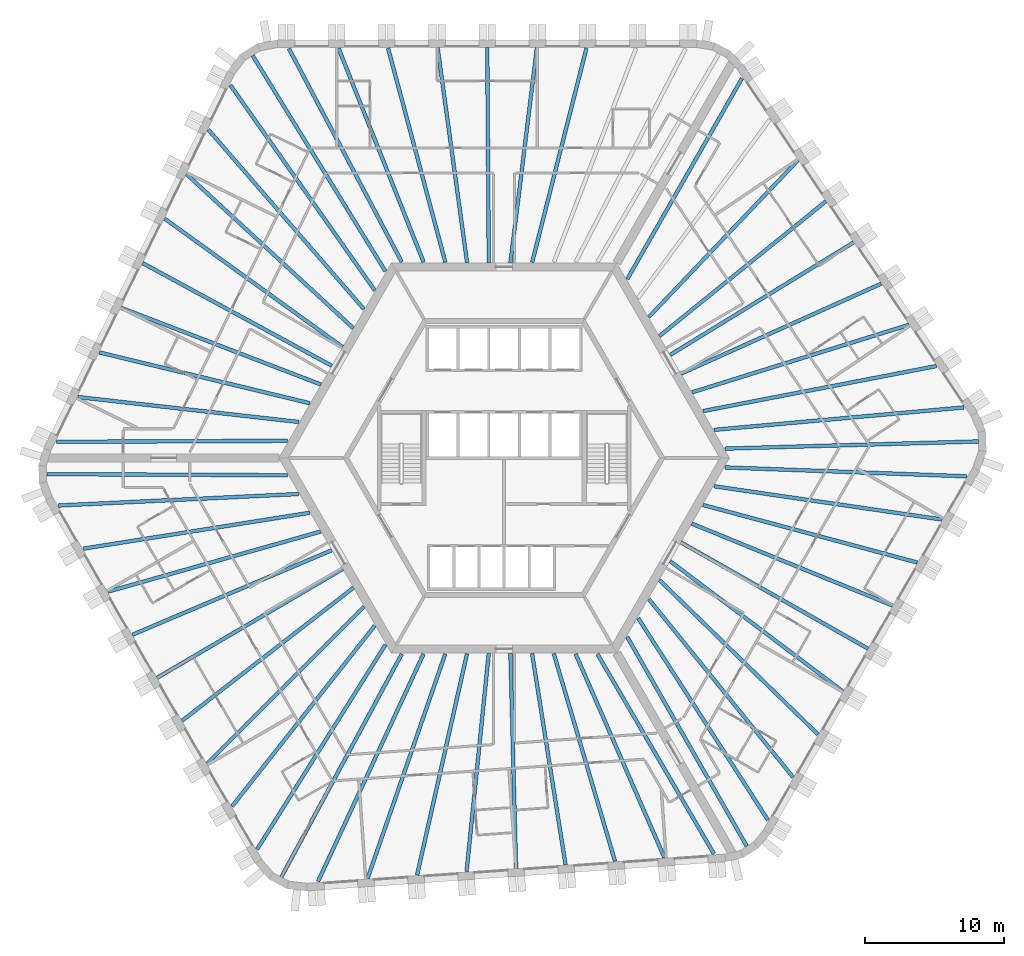
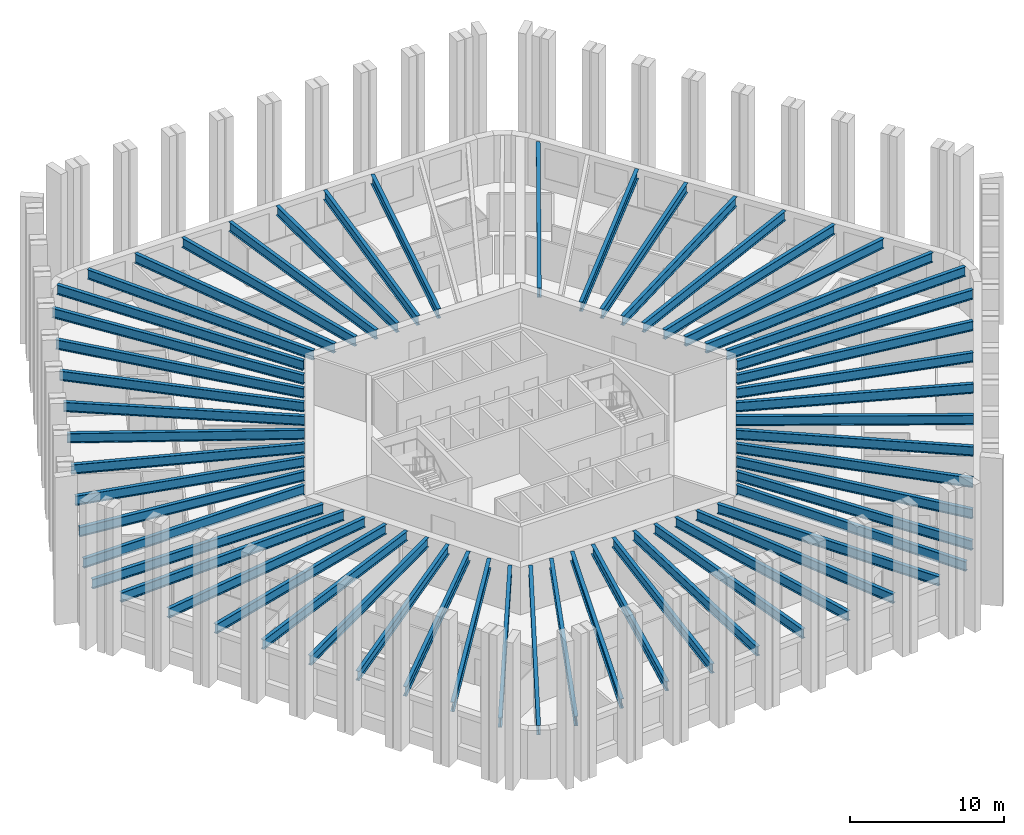
# One storey, part 1 of 12: 56 beams.
"""IFC4 building model written with IfcOpenShell, lengths in metres."""

from ifc_helpers import new_model, si_unit, direction, frame, origin, origin_2d, place, context, subcontext, project, spatial, i_section, extrude, material, material_profile, profile_set, type_object, element, save


model = new_model("IFC4")

# Units and contexts
model_context = context("Model", 3, precision=1e-05, world=origin(), true_north=direction((0.0, 1.0)))
body_context = subcontext(model_context, "Body", "Model", "MODEL_VIEW")
ifc_project = project(units=[si_unit("LENGTHUNIT", "METRE"), si_unit("AREAUNIT", "SQUARE_METRE"), si_unit("VOLUMEUNIT", "CUBIC_METRE"), si_unit("PLANEANGLEUNIT", "RADIAN"), si_unit("MASSUNIT", "GRAM", prefix="KILO")], contexts=[model_context])

# Site, building, storey
site_placement = place(None, origin())
site = spatial("IfcSite", under=ifc_project, at=site_placement, CompositionType="ELEMENT")
building_placement = place(site_placement, origin())
building = spatial("IfcBuilding", under=site, at=building_placement, Name="Tarnside Tower", CompositionType="ELEMENT")
storey_placement = place(building_placement, frame((0.0, 0.0, 99.89990234375)))
storey = spatial("IfcBuildingStorey", under=building, at=storey_placement, Name="L22", CompositionType="ELEMENT", Elevation=99.89990234375)

# Beams
ifc_material = material(Name="Steel S355", Category="steel")
ifc_material_profile_1 = material_profile(ifc_material, i_section(OverallWidth=0.26513671875, OverallDepth=0.75390625, WebThickness=0.0126953125, FlangeThickness=0.017578125, FilletRadius=0.0166015625, at=origin_2d()), Name="UB 762x267x147")
ifc_profile_set_1 = profile_set([ifc_material_profile_1], Name="Steel S355")
beam_type_1 = type_object("IfcBeamType", Name="Floor beam UB 762x267x147", PredefinedType="BEAM", material=ifc_profile_set_1)
beam_1_placement = place(storey_placement, frame((2.3525390625, 29.43017578125, 3.373046875), z_axis=(-0.122329629165, -0.992489527314, 0.0), x_axis=(0.992489527314, -0.122329629165, 0.0)))
element("IfcBeam", 1, at=beam_1_placement, inside=storey, type_object=beam_type_1, Name="Floor beam F1.04", PredefinedType="BEAM", context=body_context, shape_type="SweptSolid", body=[
    extrude(i_section(OverallWidth=0.26513671875, OverallDepth=0.75390625, WebThickness=0.0126953125, FlangeThickness=0.017578125, FilletRadius=0.0166015625, at=origin_2d()), origin(), (0.0, 0.0, 1.0), 15.527099609375),
])
beam_2_placement = place(storey_placement, frame((-1.208984375, 29.449951171875, 3.373046875), z_axis=(0.007000128723, -0.999975498799, 0.0), x_axis=(0.999975498799, 0.007000128723, 0.0)))
element("IfcBeam", 2, at=beam_2_placement, inside=storey, type_object=beam_type_1, Name="Floor beam F1.05", PredefinedType="BEAM", context=body_context, shape_type="SweptSolid", body=[
    extrude(i_section(OverallWidth=0.26513671875, OverallDepth=0.75390625, WebThickness=0.0126953125, FlangeThickness=0.017578125, FilletRadius=0.0166015625, at=origin_2d()), origin(), (0.0, 0.0, 1.0), 15.450439453125),
])
beam_3_placement = place(storey_placement, frame((-4.7705078125, 29.43017578125, 3.373046875), z_axis=(0.136000560933, -0.990708760144, 0.0), x_axis=(0.990708760144, 0.136000560933, 0.0)))
element("IfcBeam", 3, at=beam_3_placement, inside=storey, type_object=beam_type_1, Name="Floor beam F1.06", PredefinedType="BEAM", context=body_context, shape_type="SweptSolid", body=[
    extrude(i_section(OverallWidth=0.26513671875, OverallDepth=0.75390625, WebThickness=0.0126953125, FlangeThickness=0.017578125, FilletRadius=0.0166015625, at=origin_2d()), origin(), (0.0, 0.0, 1.0), 15.554931640625),
])
beam_4_placement = place(storey_placement, frame((-24.348876953125, 17.168212890625, 3.373046875), z_axis=(0.811027744825, -0.585007689799, 0.0), x_axis=(0.585007689799, 0.811027744825, 0.0)))
element("IfcBeam", 4, at=beam_4_placement, inside=storey, type_object=beam_type_1, Name="Floor beam F2.04", PredefinedType="BEAM", context=body_context, shape_type="SweptSolid", body=[
    extrude(i_section(OverallWidth=0.26513671875, OverallDepth=0.75390625, WebThickness=0.0126953125, FlangeThickness=0.017578125, FilletRadius=0.0166015625, at=origin_2d()), origin(), (0.0, 0.0, 1.0), 15.731689453125),
])
beam_5_placement = place(storey_placement, frame((-25.92626953125, 13.978271484375, 3.373046875), z_axis=(0.878894567679, -0.477016078245, 0.0), x_axis=(0.477016078245, 0.878894567679, 0.0)))
element("IfcBeam", 5, at=beam_5_placement, inside=storey, type_object=beam_type_1, Name="Floor beam F2.05", PredefinedType="BEAM", context=body_context, shape_type="SweptSolid", body=[
    extrude(i_section(OverallWidth=0.26513671875, OverallDepth=0.75390625, WebThickness=0.0126953125, FlangeThickness=0.017578125, FilletRadius=0.0166015625, at=origin_2d()), origin(), (0.0, 0.0, 1.0), 15.427490234375),
])
beam_6_placement = place(storey_placement, frame((-27.487548828125, 10.77734375, 3.373046875), z_axis=(0.933617702452, -0.358270827264, 0.0), x_axis=(0.358270827264, 0.933617702452, 0.0)))
element("IfcBeam", 6, at=beam_6_placement, inside=storey, type_object=beam_type_1, Name="Floor beam F2.06", PredefinedType="BEAM", context=body_context, shape_type="SweptSolid", body=[
    extrude(i_section(OverallWidth=0.26513671875, OverallDepth=0.75390625, WebThickness=0.0126953125, FlangeThickness=0.017578125, FilletRadius=0.0166015625, at=origin_2d()), origin(), (0.0, 0.0, 1.0), 15.363037109375),
])
beam_7_placement = place(storey_placement, frame((-29.029296875, 7.572509765625, 3.373046875), z_axis=(0.972101750991, -0.234559556873, 0.0), x_axis=(0.234559556873, 0.972101750991, 0.0)))
element("IfcBeam", 7, at=beam_7_placement, inside=storey, type_object=beam_type_1, Name="Floor beam F2.07", PredefinedType="BEAM", context=body_context, shape_type="SweptSolid", body=[
    extrude(i_section(OverallWidth=0.26513671875, OverallDepth=0.75390625, WebThickness=0.0126953125, FlangeThickness=0.017578125, FilletRadius=0.0166015625, at=origin_2d()), origin(), (0.0, 0.0, 1.0), 15.522216796875),
])
beam_8_placement = place(storey_placement, frame((-26.66357421875, -12.677734375, 3.373046875), z_axis=(0.920684021494, 0.390308765679, 0.0), x_axis=(-0.390308765679, 0.920684021494, 0.0)))
element("IfcBeam", 8, at=beam_8_placement, inside=storey, type_object=beam_type_1, Name="Floor beam F3.04", PredefinedType="BEAM", context=body_context, shape_type="SweptSolid", body=[
    extrude(i_section(OverallWidth=0.26513671875, OverallDepth=0.75390625, WebThickness=0.0126953125, FlangeThickness=0.017578125, FilletRadius=0.0166015625, at=origin_2d()), origin(), (0.0, 0.0, 1.0), 15.52685546875),
])
beam_9_placement = place(storey_placement, frame((-24.89990234375, -15.772216796875, 3.373046875), z_axis=(0.862497502004, 0.506061319443, 0.0), x_axis=(-0.506061319443, 0.862497502004, 0.0)))
element("IfcBeam", 9, at=beam_9_placement, inside=storey, type_object=beam_type_1, Name="Floor beam F3.05", PredefinedType="BEAM", context=body_context, shape_type="SweptSolid", body=[
    extrude(i_section(OverallWidth=0.26513671875, OverallDepth=0.75390625, WebThickness=0.0126953125, FlangeThickness=0.017578125, FilletRadius=0.0166015625, at=origin_2d()), origin(), (0.0, 0.0, 1.0), 15.450439453125),
])
beam_10_placement = place(storey_placement, frame((-23.10205078125, -18.846435546875, 3.373046875), z_axis=(0.789983963813, 0.613127504617, 0.0), x_axis=(-0.613127504617, 0.789983963813, 0.0)))
element("IfcBeam", 10, at=beam_10_placement, inside=storey, type_object=beam_type_1, Name="Floor beam F3.06", PredefinedType="BEAM", context=body_context, shape_type="SweptSolid", body=[
    extrude(i_section(OverallWidth=0.26513671875, OverallDepth=0.75390625, WebThickness=0.0126953125, FlangeThickness=0.017578125, FilletRadius=0.0166015625, at=origin_2d()), origin(), (0.0, 0.0, 1.0), 15.554931640625),
])
beam_11_placement = place(storey_placement, frame((-2.693603515625, -29.6708984375, 3.373046875), z_axis=(0.101123115756, 0.994873919379, 0.0), x_axis=(-0.994873919379, 0.101123115756, 0.0)))
element("IfcBeam", 11, at=beam_11_placement, inside=storey, type_object=beam_type_1, Name="Floor beam F4.04", PredefinedType="BEAM", context=body_context, shape_type="SweptSolid", body=[
    extrude(i_section(OverallWidth=0.26513671875, OverallDepth=0.75390625, WebThickness=0.0126953125, FlangeThickness=0.017578125, FilletRadius=0.0166015625, at=origin_2d()), origin(), (0.0, 0.0, 1.0), 15.7314453125),
])
beam_12_placement = place(storey_placement, frame((0.857666015625, -29.44189453125, 3.373046875), z_axis=(-0.026333316788, 0.999653218085, 0.0), x_axis=(-0.999653218085, -0.026333316788, 0.0)))
element("IfcBeam", 12, at=beam_12_placement, inside=storey, type_object=beam_type_1, Name="Floor beam F4.05", PredefinedType="BEAM", context=body_context, shape_type="SweptSolid", body=[
    extrude(i_section(OverallWidth=0.26513671875, OverallDepth=0.75390625, WebThickness=0.0126953125, FlangeThickness=0.017578125, FilletRadius=0.0166015625, at=origin_2d()), origin(), (0.0, 0.0, 1.0), 15.42724609375),
])
beam_13_placement = place(storey_placement, frame((4.41015625, -29.193603515625, 3.373046875), z_axis=(-0.156513375907, 0.98767583911, 0.0), x_axis=(-0.98767583911, -0.156513375907, 0.0)))
element("IfcBeam", 13, at=beam_13_placement, inside=storey, type_object=beam_type_1, Name="Floor beam F4.06", PredefinedType="BEAM", context=body_context, shape_type="SweptSolid", body=[
    extrude(i_section(OverallWidth=0.26513671875, OverallDepth=0.75390625, WebThickness=0.0126953125, FlangeThickness=0.017578125, FilletRadius=0.0166015625, at=origin_2d()), origin(), (0.0, 0.0, 1.0), 15.36328125),
])
beam_14_placement = place(storey_placement, frame((7.956787109375, -28.926513671875, 3.373046875), z_axis=(-0.282920694328, 0.959143305623, 0.0), x_axis=(-0.959143305623, -0.282920694328, 0.0)))
element("IfcBeam", 14, at=beam_14_placement, inside=storey, type_object=beam_type_1, Name="Floor beam F4.07", PredefinedType="BEAM", context=body_context, shape_type="SweptSolid", body=[
    extrude(i_section(OverallWidth=0.26513671875, OverallDepth=0.75390625, WebThickness=0.0126953125, FlangeThickness=0.017578125, FilletRadius=0.0166015625, at=origin_2d()), origin(), (0.0, 0.0, 1.0), 15.5224609375),
])
beam_15_placement = place(storey_placement, frame((24.31103515625, -16.75244140625, 3.373046875), z_axis=(-0.798361152727, 0.602178935049, 0.0), x_axis=(-0.602178935049, -0.798361152727, 0.0)))
element("IfcBeam", 15, at=beam_15_placement, inside=storey, type_object=beam_type_1, Name="Floor beam F5.04", PredefinedType="BEAM", context=body_context, shape_type="SweptSolid", body=[
    extrude(i_section(OverallWidth=0.26513671875, OverallDepth=0.75390625, WebThickness=0.0126953125, FlangeThickness=0.017578125, FilletRadius=0.0166015625, at=origin_2d()), origin(), (0.0, 0.0, 1.0), 15.527099609375),
])
beam_16_placement = place(storey_placement, frame((26.10888671875, -13.677978515625, 3.373046875), z_axis=(-0.869502520992, 0.493928502911, 0.0), x_axis=(-0.493928502911, -0.869502520992, 0.0)))
element("IfcBeam", 16, at=beam_16_placement, inside=storey, type_object=beam_type_1, Name="Floor beam F5.05", PredefinedType="BEAM", context=body_context, shape_type="SweptSolid", body=[
    extrude(i_section(OverallWidth=0.26513671875, OverallDepth=0.75390625, WebThickness=0.0126953125, FlangeThickness=0.017578125, FilletRadius=0.0166015625, at=origin_2d()), origin(), (0.0, 0.0, 1.0), 15.4501953125),
])
beam_17_placement = place(storey_placement, frame((27.87255859375, -10.58349609375, 3.373046875), z_axis=(-0.925981621163, 0.377568586177, 0.0), x_axis=(-0.377568586177, -0.925981621163, 0.0)))
element("IfcBeam", 17, at=beam_17_placement, inside=storey, type_object=beam_type_1, Name="Floor beam F5.06", PredefinedType="BEAM", context=body_context, shape_type="SweptSolid", body=[
    extrude(i_section(OverallWidth=0.26513671875, OverallDepth=0.75390625, WebThickness=0.0126953125, FlangeThickness=0.017578125, FilletRadius=0.0166015625, at=origin_2d()), origin(), (0.0, 0.0, 1.0), 15.554931640625),
])
beam_18_placement = place(storey_placement, frame((27.04248046875, 12.502685546875, 3.373046875), z_axis=(-0.912146413919, -0.409864513681, 0.0), x_axis=(0.409864513681, -0.912146413919, 0.0)))
element("IfcBeam", 18, at=beam_18_placement, inside=storey, type_object=beam_type_1, Name="Floor beam F6.04", PredefinedType="BEAM", context=body_context, shape_type="SweptSolid", body=[
    extrude(i_section(OverallWidth=0.26513671875, OverallDepth=0.75390625, WebThickness=0.0126953125, FlangeThickness=0.017578125, FilletRadius=0.0166015625, at=origin_2d()), origin(), (0.0, 0.0, 1.0), 15.7314453125),
])
beam_19_placement = place(storey_placement, frame((25.068603515625, 15.463623046875, 3.373046875), z_axis=(-0.852558490017, -0.522631821744, 0.0), x_axis=(0.522631821744, -0.852558490017, 0.0)))
element("IfcBeam", 19, at=beam_19_placement, inside=storey, type_object=beam_type_1, Name="Floor beam F6.05", PredefinedType="BEAM", context=body_context, shape_type="SweptSolid", body=[
    extrude(i_section(OverallWidth=0.26513671875, OverallDepth=0.75390625, WebThickness=0.0126953125, FlangeThickness=0.017578125, FilletRadius=0.0166015625, at=origin_2d()), origin(), (0.0, 0.0, 1.0), 15.42724609375),
])
beam_20_placement = place(storey_placement, frame((23.0771484375, 18.416259765625, 3.373046875), z_axis=(-0.777079423039, -0.629402550272, 0.0), x_axis=(0.629402550272, -0.777079423039, 0.0)))
element("IfcBeam", 20, at=beam_20_placement, inside=storey, type_object=beam_type_1, Name="Floor beam F6.06", PredefinedType="BEAM", context=body_context, shape_type="SweptSolid", body=[
    extrude(i_section(OverallWidth=0.26513671875, OverallDepth=0.75390625, WebThickness=0.0126953125, FlangeThickness=0.017578125, FilletRadius=0.0166015625, at=origin_2d()), origin(), (0.0, 0.0, 1.0), 15.36328125),
])
beam_21_placement = place(storey_placement, frame((21.072509765625, 21.35400390625, 3.373046875), z_axis=(-0.689174694318, -0.724595225427, 0.0), x_axis=(0.724595225427, -0.689174694318, 0.0)))
element("IfcBeam", 21, at=beam_21_placement, inside=storey, type_object=beam_type_1, Name="Floor beam F6.07", PredefinedType="BEAM", context=body_context, shape_type="SweptSolid", body=[
    extrude(i_section(OverallWidth=0.26513671875, OverallDepth=0.75390625, WebThickness=0.0126953125, FlangeThickness=0.017578125, FilletRadius=0.0166015625, at=origin_2d()), origin(), (0.0, 0.0, 1.0), 15.522216796875),
])
ifc_material_profile_2 = material_profile(ifc_material, i_section(OverallWidth=0.2666015625, OverallDepth=0.76220703125, WebThickness=0.014404296875, FlangeThickness=0.021484375, FilletRadius=0.0166015625, at=origin_2d()), Name="UB 762x267x173")
ifc_profile_set_2 = profile_set([ifc_material_profile_2], Name="Steel S355")
beam_type_2 = type_object("IfcBeamType", Name="Floor beam UB 762x267x173", PredefinedType="BEAM", material=ifc_profile_set_2)
beam_22_placement = place(storey_placement, frame((5.909423828125, 29.4111328125, 3.368896484375), z_axis=(-0.245747281389, -0.969333933013, 0.0), x_axis=(0.969333933013, -0.245747281389, 0.0)))
element("IfcBeam", 22, at=beam_22_placement, inside=storey, type_object=beam_type_2, Name="Floor beam F1.03", PredefinedType="BEAM", context=body_context, shape_type="SweptSolid", body=[
    extrude(i_section(OverallWidth=0.2666015625, OverallDepth=0.76220703125, WebThickness=0.014404296875, FlangeThickness=0.021484375, FilletRadius=0.0166015625, at=origin_2d()), origin(), (0.0, 0.0, 1.0), 15.858642578125),
])
beam_23_placement = place(storey_placement, frame((-8.3271484375, 29.411376953125, 3.368896484375), z_axis=(0.258447478572, -0.966025310652, 0.0), x_axis=(0.966025310652, 0.258447478572, 0.0)))
element("IfcBeam", 23, at=beam_23_placement, inside=storey, type_object=beam_type_2, Name="Floor beam F1.07", PredefinedType="BEAM", context=body_context, shape_type="SweptSolid", body=[
    extrude(i_section(OverallWidth=0.2666015625, OverallDepth=0.76220703125, WebThickness=0.014404296875, FlangeThickness=0.021484375, FilletRadius=0.0166015625, at=origin_2d()), origin(), (0.0, 0.0, 1.0), 15.91357421875),
])
beam_24_placement = place(storey_placement, frame((-11.87939453125, 29.394287109375, 3.368896484375), z_axis=(0.369638204477, -0.929175762593, 0.0), x_axis=(0.929175762593, 0.369638204477, 0.0)))
element("IfcBeam", 24, at=beam_24_placement, inside=storey, type_object=beam_type_2, Name="Floor beam F1.08", PredefinedType="BEAM", context=body_context, shape_type="SweptSolid", body=[
    extrude(i_section(OverallWidth=0.2666015625, OverallDepth=0.76220703125, WebThickness=0.014404296875, FlangeThickness=0.021484375, FilletRadius=0.0166015625, at=origin_2d()), origin(), (0.0, 0.0, 1.0), 16.507568359375),
])
beam_25_placement = place(storey_placement, frame((-15.44580078125, 29.37939453125, 3.368896484375), z_axis=(0.467741993634, -0.883865050441, 0.0), x_axis=(0.883865050441, 0.467741993634, 0.0)))
element("IfcBeam", 25, at=beam_25_placement, inside=storey, type_object=beam_type_2, Name="Floor beam F1.09", PredefinedType="BEAM", context=body_context, shape_type="SweptSolid", body=[
    extrude(i_section(OverallWidth=0.2666015625, OverallDepth=0.76220703125, WebThickness=0.014404296875, FlangeThickness=0.021484375, FilletRadius=0.0166015625, at=origin_2d()), origin(), (0.0, 0.0, 1.0), 17.320068359375),
])
beam_26_placement = place(storey_placement, frame((-18.042236328125, 28.8701171875, 3.368896484375), z_axis=(0.524382977035, -0.851482526771, 0.0), x_axis=(0.851482526771, 0.524382977035, 0.0)))
element("IfcBeam", 26, at=beam_26_placement, inside=storey, type_object=beam_type_2, Name="Floor beam C1", PredefinedType="BEAM", context=body_context, shape_type="SweptSolid", body=[
    extrude(i_section(OverallWidth=0.2666015625, OverallDepth=0.76220703125, WebThickness=0.014404296875, FlangeThickness=0.021484375, FilletRadius=0.0166015625, at=origin_2d()), origin(), (0.0, 0.0, 1.0), 18.1728515625),
])
beam_27_placement = place(storey_placement, frame((-19.638671875, 26.75537109375, 3.368896484375), z_axis=(0.575411427849, -0.817864101609, 0.0), x_axis=(0.817864101609, 0.575411427849, 0.0)))
element("IfcBeam", 27, at=beam_27_placement, inside=storey, type_object=beam_type_2, Name="Floor beam F2.01", PredefinedType="BEAM", context=body_context, shape_type="SweptSolid", body=[
    extrude(i_section(OverallWidth=0.2666015625, OverallDepth=0.76220703125, WebThickness=0.014404296875, FlangeThickness=0.021484375, FilletRadius=0.0166015625, at=origin_2d()), origin(), (0.0, 0.0, 1.0), 18.00048828125),
])
beam_28_placement = place(storey_placement, frame((-21.21630859375, 23.554931640625, 3.368896484375), z_axis=(0.654980748073, -0.755645564834, 0.0), x_axis=(0.755645564834, 0.654980748073, 0.0)))
element("IfcBeam", 28, at=beam_28_placement, inside=storey, type_object=beam_type_2, Name="Floor beam F2.02", PredefinedType="BEAM", context=body_context, shape_type="SweptSolid", body=[
    extrude(i_section(OverallWidth=0.2666015625, OverallDepth=0.76220703125, WebThickness=0.014404296875, FlangeThickness=0.021484375, FilletRadius=0.0166015625, at=origin_2d()), origin(), (0.0, 0.0, 1.0), 17.0302734375),
])
beam_29_placement = place(storey_placement, frame((-22.7890625, 20.368408203125, 3.368896484375), z_axis=(0.734715474517, -0.678375391288, 0.0), x_axis=(0.678375391288, 0.734715474517, 0.0)))
element("IfcBeam", 29, at=beam_29_placement, inside=storey, type_object=beam_type_2, Name="Floor beam F2.03", PredefinedType="BEAM", context=body_context, shape_type="SweptSolid", body=[
    extrude(i_section(OverallWidth=0.2666015625, OverallDepth=0.76220703125, WebThickness=0.014404296875, FlangeThickness=0.021484375, FilletRadius=0.0166015625, at=origin_2d()), origin(), (0.0, 0.0, 1.0), 16.2802734375),
])
beam_30_placement = place(storey_placement, frame((-30.570556640625, 4.372802734375, 3.368896484375), z_axis=(0.993687302776, -0.112185312326, 0.0), x_axis=(0.112185312326, 0.993687302776, 0.0)))
element("IfcBeam", 30, at=beam_30_placement, inside=storey, type_object=beam_type_2, Name="Floor beam F2.08", PredefinedType="BEAM", context=body_context, shape_type="SweptSolid", body=[
    extrude(i_section(OverallWidth=0.2666015625, OverallDepth=0.76220703125, WebThickness=0.014404296875, FlangeThickness=0.021484375, FilletRadius=0.0166015625, at=origin_2d()), origin(), (0.0, 0.0, 1.0), 15.934326171875),
])
beam_31_placement = place(storey_placement, frame((-32.119384765625, 1.162109375, 3.368896484375), z_axis=(0.999990508787, 0.004356872304, 0.0), x_axis=(-0.004356872304, 0.999990508787, 0.0)))
element("IfcBeam", 31, at=beam_31_placement, inside=storey, type_object=beam_type_2, Name="Floor beam F2.09", PredefinedType="BEAM", context=body_context, shape_type="SweptSolid", body=[
    extrude(i_section(OverallWidth=0.2666015625, OverallDepth=0.76220703125, WebThickness=0.014404296875, FlangeThickness=0.021484375, FilletRadius=0.0166015625, at=origin_2d()), origin(), (0.0, 0.0, 1.0), 16.586669921875),
])
beam_32_placement = place(storey_placement, frame((-32.80712890625, -1.1572265625, 3.368896484375), z_axis=(0.999990027056, -0.004466070929, 0.0), x_axis=(0.004466070929, 0.999990027056, 0.0)))
element("IfcBeam", 32, at=beam_32_placement, inside=storey, type_object=beam_type_2, Name="Floor beam C2", PredefinedType="BEAM", context=body_context, shape_type="SweptSolid", body=[
    extrude(i_section(OverallWidth=0.2666015625, OverallDepth=0.76220703125, WebThickness=0.014404296875, FlangeThickness=0.021484375, FilletRadius=0.0166015625, at=origin_2d()), origin(), (0.0, 0.0, 1.0), 17.2744140625),
])
beam_33_placement = place(storey_placement, frame((-31.95703125, -3.406494140625, 3.368896484375), z_axis=(0.998853818522, 0.047864905982, 0.0), x_axis=(-0.047864905982, 0.998853818522, 0.0)))
element("IfcBeam", 33, at=beam_33_placement, inside=storey, type_object=beam_type_2, Name="Floor beam F3.01", PredefinedType="BEAM", context=body_context, shape_type="SweptSolid", body=[
    extrude(i_section(OverallWidth=0.2666015625, OverallDepth=0.76220703125, WebThickness=0.014404296875, FlangeThickness=0.021484375, FilletRadius=0.0166015625, at=origin_2d()), origin(), (0.0, 0.0, 1.0), 17.2197265625),
])
beam_34_placement = place(storey_placement, frame((-30.18701171875, -6.502685546875, 3.368896484375), z_axis=(0.987678477078, 0.156496728136, 0.0), x_axis=(-0.156496728136, 0.987678477078, 0.0)))
element("IfcBeam", 34, at=beam_34_placement, inside=storey, type_object=beam_type_2, Name="Floor beam F3.02", PredefinedType="BEAM", context=body_context, shape_type="SweptSolid", body=[
    extrude(i_section(OverallWidth=0.2666015625, OverallDepth=0.76220703125, WebThickness=0.014404296875, FlangeThickness=0.021484375, FilletRadius=0.0166015625, at=origin_2d()), origin(), (0.0, 0.0, 1.0), 16.4287109375),
])
beam_35_placement = place(storey_placement, frame((-28.425537109375, -9.587890625, 3.368896484375), z_axis=(0.962342240503, 0.271840784547, 0.0), x_axis=(-0.271840784547, 0.962342240503, 0.0)))
element("IfcBeam", 35, at=beam_35_placement, inside=storey, type_object=beam_type_2, Name="Floor beam F3.03", PredefinedType="BEAM", context=body_context, shape_type="SweptSolid", body=[
    extrude(i_section(OverallWidth=0.2666015625, OverallDepth=0.76220703125, WebThickness=0.014404296875, FlangeThickness=0.021484375, FilletRadius=0.0166015625, at=origin_2d()), origin(), (0.0, 0.0, 1.0), 15.858642578125),
])
beam_36_placement = place(storey_placement, frame((-21.307373046875, -21.917236328125, 3.368896484375), z_axis=(0.707367544857, 0.706845921318, 0.0), x_axis=(-0.706845921318, 0.707367544857, 0.0)))
element("IfcBeam", 36, at=beam_36_placement, inside=storey, type_object=beam_type_2, Name="Floor beam F3.07", PredefinedType="BEAM", context=body_context, shape_type="SweptSolid", body=[
    extrude(i_section(OverallWidth=0.2666015625, OverallDepth=0.76220703125, WebThickness=0.014404296875, FlangeThickness=0.021484375, FilletRadius=0.0166015625, at=origin_2d()), origin(), (0.0, 0.0, 1.0), 15.913330078125),
])
beam_37_placement = place(storey_placement, frame((-19.516357421875, -24.985107421875, 3.368896484375), z_axis=(0.619872995007, 0.784702153725, 0.0), x_axis=(-0.784702153725, 0.619872995007, 0.0)))
element("IfcBeam", 37, at=beam_37_placement, inside=storey, type_object=beam_type_2, Name="Floor beam F3.08", PredefinedType="BEAM", context=body_context, shape_type="SweptSolid", body=[
    extrude(i_section(OverallWidth=0.2666015625, OverallDepth=0.76220703125, WebThickness=0.014404296875, FlangeThickness=0.021484375, FilletRadius=0.0166015625, at=origin_2d()), origin(), (0.0, 0.0, 1.0), 16.507568359375),
])
beam_38_placement = place(storey_placement, frame((-17.72021484375, -28.066162109375, 3.368896484375), z_axis=(0.531583085704, 0.847006152866, 0.0), x_axis=(-0.847006152866, 0.531583085704, 0.0)))
element("IfcBeam", 38, at=beam_38_placement, inside=storey, type_object=beam_type_2, Name="Floor beam F3.09", PredefinedType="BEAM", context=body_context, shape_type="SweptSolid", body=[
    extrude(i_section(OverallWidth=0.2666015625, OverallDepth=0.76220703125, WebThickness=0.014404296875, FlangeThickness=0.021484375, FilletRadius=0.0166015625, at=origin_2d()), origin(), (0.0, 0.0, 1.0), 17.320068359375),
])
beam_39_placement = place(storey_placement, frame((-15.981201171875, -30.060302734375, 3.368896484375), z_axis=(0.475208200571, 0.879873380726, 0.0), x_axis=(-0.879873380726, 0.475208200571, 0.0)))
element("IfcBeam", 39, at=beam_39_placement, inside=storey, type_object=beam_type_2, Name="Floor beam C3", PredefinedType="BEAM", context=body_context, shape_type="SweptSolid", body=[
    extrude(i_section(OverallWidth=0.2666015625, OverallDepth=0.76220703125, WebThickness=0.014404296875, FlangeThickness=0.021484375, FilletRadius=0.0166015625, at=origin_2d()), origin(), (0.0, 0.0, 1.0), 18.173095703125),
])
beam_40_placement = place(storey_placement, frame((-13.3515625, -30.38525390625, 3.368896484375), z_axis=(0.42059199668, 0.907249895193, 0.0), x_axis=(-0.907249895193, 0.42059199668, 0.0)))
element("IfcBeam", 40, at=beam_40_placement, inside=storey, type_object=beam_type_2, Name="Floor beam F4.01", PredefinedType="BEAM", context=body_context, shape_type="SweptSolid", body=[
    extrude(i_section(OverallWidth=0.2666015625, OverallDepth=0.76220703125, WebThickness=0.014404296875, FlangeThickness=0.021484375, FilletRadius=0.0166015625, at=origin_2d()), origin(), (0.0, 0.0, 1.0), 18.000244140625),
])
beam_41_placement = place(storey_placement, frame((-9.791015625, -30.151123046875, 3.368896484375), z_axis=(0.326912128872, 0.945054739153, 0.0), x_axis=(-0.945054739153, 0.326912128872, 0.0)))
element("IfcBeam", 41, at=beam_41_placement, inside=storey, type_object=beam_type_2, Name="Floor beam F4.02", PredefinedType="BEAM", context=body_context, shape_type="SweptSolid", body=[
    extrude(i_section(OverallWidth=0.2666015625, OverallDepth=0.76220703125, WebThickness=0.014404296875, FlangeThickness=0.021484375, FilletRadius=0.0166015625, at=origin_2d()), origin(), (0.0, 0.0, 1.0), 17.0302734375),
])
beam_42_placement = place(storey_placement, frame((-6.2451171875, -29.920166015625, 3.368896484375), z_axis=(0.220139818673, 0.975468328668, 0.0), x_axis=(-0.975468328668, 0.220139818673, 0.0)))
element("IfcBeam", 42, at=beam_42_placement, inside=storey, type_object=beam_type_2, Name="Floor beam F4.03", PredefinedType="BEAM", context=body_context, shape_type="SweptSolid", body=[
    extrude(i_section(OverallWidth=0.2666015625, OverallDepth=0.76220703125, WebThickness=0.014404296875, FlangeThickness=0.021484375, FilletRadius=0.0166015625, at=origin_2d()), origin(), (0.0, 0.0, 1.0), 16.280517578125),
])
beam_43_placement = place(storey_placement, frame((11.498291015625, -28.6611328125, 3.368896484375), z_axis=(-0.399695682658, 0.916647893831, 0.0), x_axis=(-0.916647893831, -0.399695682658, 0.0)))
element("IfcBeam", 43, at=beam_43_placement, inside=storey, type_object=beam_type_2, Name="Floor beam F4.08", PredefinedType="BEAM", context=body_context, shape_type="SweptSolid", body=[
    extrude(i_section(OverallWidth=0.2666015625, OverallDepth=0.76220703125, WebThickness=0.014404296875, FlangeThickness=0.021484375, FilletRadius=0.0166015625, at=origin_2d()), origin(), (0.0, 0.0, 1.0), 15.934326171875),
])
beam_44_placement = place(storey_placement, frame((15.05322265625, -28.3974609375, 3.368896484375), z_axis=(-0.503758455062, 0.86384455717, 0.0), x_axis=(-0.86384455717, -0.503758455062, 0.0)))
element("IfcBeam", 44, at=beam_44_placement, inside=storey, type_object=beam_type_2, Name="Floor beam F4.09", PredefinedType="BEAM", context=body_context, shape_type="SweptSolid", body=[
    extrude(i_section(OverallWidth=0.2666015625, OverallDepth=0.76220703125, WebThickness=0.014404296875, FlangeThickness=0.021484375, FilletRadius=0.0166015625, at=origin_2d()), origin(), (0.0, 0.0, 1.0), 16.586669921875),
])
beam_45_placement = place(storey_placement, frame((17.40576171875, -27.833251953125, 3.368896484375), z_axis=(-0.496126762138, 0.868250099851, 0.0), x_axis=(-0.868250099851, -0.496126762138, 0.0)))
element("IfcBeam", 45, at=beam_45_placement, inside=storey, type_object=beam_type_2, Name="Floor beam C4", PredefinedType="BEAM", context=body_context, shape_type="SweptSolid", body=[
    extrude(i_section(OverallWidth=0.2666015625, OverallDepth=0.76220703125, WebThickness=0.014404296875, FlangeThickness=0.021484375, FilletRadius=0.0166015625, at=origin_2d()), origin(), (0.0, 0.0, 1.0), 17.2744140625),
])
beam_46_placement = place(storey_placement, frame((18.9287109375, -25.972412109375, 3.368896484375), z_axis=(-0.540872954463, 0.841104302171, 0.0), x_axis=(-0.841104302171, -0.540872954463, 0.0)))
element("IfcBeam", 46, at=beam_46_placement, inside=storey, type_object=beam_type_2, Name="Floor beam F5.01", PredefinedType="BEAM", context=body_context, shape_type="SweptSolid", body=[
    extrude(i_section(OverallWidth=0.2666015625, OverallDepth=0.76220703125, WebThickness=0.014404296875, FlangeThickness=0.021484375, FilletRadius=0.0166015625, at=origin_2d()), origin(), (0.0, 0.0, 1.0), 17.2197265625),
])
beam_47_placement = place(storey_placement, frame((20.72509765625, -22.89111328125, 3.368896484375), z_axis=(-0.62939015525, 0.777089462336, 0.0), x_axis=(-0.777089462336, -0.62939015525, 0.0)))
element("IfcBeam", 47, at=beam_47_placement, inside=storey, type_object=beam_type_2, Name="Floor beam F5.02", PredefinedType="BEAM", context=body_context, shape_type="SweptSolid", body=[
    extrude(i_section(OverallWidth=0.2666015625, OverallDepth=0.76220703125, WebThickness=0.014404296875, FlangeThickness=0.021484375, FilletRadius=0.0166015625, at=origin_2d()), origin(), (0.0, 0.0, 1.0), 16.4287109375),
])
beam_48_placement = place(storey_placement, frame((22.51611328125, -19.8232421875, 3.368896484375), z_axis=(-0.716594696052, 0.697489814686, 0.0), x_axis=(-0.697489814686, -0.716594696052, 0.0)))
element("IfcBeam", 48, at=beam_48_placement, inside=storey, type_object=beam_type_2, Name="Floor beam F5.03", PredefinedType="BEAM", context=body_context, shape_type="SweptSolid", body=[
    extrude(i_section(OverallWidth=0.2666015625, OverallDepth=0.76220703125, WebThickness=0.014404296875, FlangeThickness=0.021484375, FilletRadius=0.0166015625, at=origin_2d()), origin(), (0.0, 0.0, 1.0), 15.858642578125),
])
beam_49_placement = place(storey_placement, frame((29.634521484375, -7.494140625, 3.368896484375), z_axis=(-0.965827851395, 0.259184415946, 0.0), x_axis=(-0.259184415946, -0.965827851395, 0.0)))
element("IfcBeam", 49, at=beam_49_placement, inside=storey, type_object=beam_type_2, Name="Floor beam F5.07", PredefinedType="BEAM", context=body_context, shape_type="SweptSolid", body=[
    extrude(i_section(OverallWidth=0.2666015625, OverallDepth=0.76220703125, WebThickness=0.014404296875, FlangeThickness=0.021484375, FilletRadius=0.0166015625, at=origin_2d()), origin(), (0.0, 0.0, 1.0), 15.913330078125),
])
beam_50_placement = place(storey_placement, frame((31.39599609375, -4.4091796875, 3.368896484375), z_axis=(-0.989507887412, 0.144478859177, 0.0), x_axis=(-0.144478859177, -0.989507887412, 0.0)))
element("IfcBeam", 50, at=beam_50_placement, inside=storey, type_object=beam_type_2, Name="Floor beam F5.08", PredefinedType="BEAM", context=body_context, shape_type="SweptSolid", body=[
    extrude(i_section(OverallWidth=0.2666015625, OverallDepth=0.76220703125, WebThickness=0.014404296875, FlangeThickness=0.021484375, FilletRadius=0.0166015625, at=origin_2d()), origin(), (0.0, 0.0, 1.0), 16.507568359375),
])
beam_51_placement = place(storey_placement, frame((33.166259765625, -1.31298828125, 3.368896484375), z_axis=(-0.999320941149, 0.036846391708, 0.0), x_axis=(-0.036846391708, -0.999320941149, 0.0)))
element("IfcBeam", 51, at=beam_51_placement, inside=storey, type_object=beam_type_2, Name="Floor beam F5.09", PredefinedType="BEAM", context=body_context, shape_type="SweptSolid", body=[
    extrude(i_section(OverallWidth=0.2666015625, OverallDepth=0.76220703125, WebThickness=0.014404296875, FlangeThickness=0.021484375, FilletRadius=0.0166015625, at=origin_2d()), origin(), (0.0, 0.0, 1.0), 17.320068359375),
])
beam_52_placement = place(storey_placement, frame((34.0234375, 1.18994140625, 3.368896484375), z_axis=(-0.999597013499, -0.028386803343, 0.0), x_axis=(0.028386803343, -0.999597013499, 0.0)))
element("IfcBeam", 52, at=beam_52_placement, inside=storey, type_object=beam_type_2, Name="Floor beam C5", PredefinedType="BEAM", context=body_context, shape_type="SweptSolid", body=[
    extrude(i_section(OverallWidth=0.2666015625, OverallDepth=0.76220703125, WebThickness=0.014404296875, FlangeThickness=0.021484375, FilletRadius=0.0166015625, at=origin_2d()), origin(), (0.0, 0.0, 1.0), 18.1728515625),
])
beam_53_placement = place(storey_placement, frame((32.990234375, 3.6298828125, 3.368896484375), z_axis=(-0.995997485142, -0.089381259731, 0.0), x_axis=(0.089381259731, -0.995997485142, 0.0)))
element("IfcBeam", 53, at=beam_53_placement, inside=storey, type_object=beam_type_2, Name="Floor beam F6.01", PredefinedType="BEAM", context=body_context, shape_type="SweptSolid", body=[
    extrude(i_section(OverallWidth=0.2666015625, OverallDepth=0.76220703125, WebThickness=0.014404296875, FlangeThickness=0.021484375, FilletRadius=0.0166015625, at=origin_2d()), origin(), (0.0, 0.0, 1.0), 18.000244140625),
])
beam_54_placement = place(storey_placement, frame((31.007080078125, 6.596435546875, 3.368896484375), z_axis=(-0.981896564922, -0.189417886679, 0.0), x_axis=(0.189417886679, -0.981896564922, 0.0)))
element("IfcBeam", 54, at=beam_54_placement, inside=storey, type_object=beam_type_2, Name="Floor beam F6.02", PredefinedType="BEAM", context=body_context, shape_type="SweptSolid", body=[
    extrude(i_section(OverallWidth=0.2666015625, OverallDepth=0.76220703125, WebThickness=0.014404296875, FlangeThickness=0.021484375, FilletRadius=0.0166015625, at=origin_2d()), origin(), (0.0, 0.0, 1.0), 17.0302734375),
])
beam_55_placement = place(storey_placement, frame((29.0341796875, 9.5517578125, 3.368896484375), z_axis=(-0.954846945108, -0.297098151152, 0.0), x_axis=(0.297098151152, -0.954846945108, 0.0)))
element("IfcBeam", 55, at=beam_55_placement, inside=storey, type_object=beam_type_2, Name="Floor beam F6.03", PredefinedType="BEAM", context=body_context, shape_type="SweptSolid", body=[
    extrude(i_section(OverallWidth=0.2666015625, OverallDepth=0.76220703125, WebThickness=0.014404296875, FlangeThickness=0.021484375, FilletRadius=0.0166015625, at=origin_2d()), origin(), (0.0, 0.0, 1.0), 16.280517578125),
])
beam_56_placement = place(storey_placement, frame((17.066162109375, 27.235107421875, 3.368896484375), z_axis=(-0.49622611841, -0.868193319145, 0.0), x_axis=(0.868193319145, -0.49622611841, 0.0)))
element("IfcBeam", 56, at=beam_56_placement, inside=storey, type_object=beam_type_2, Name="Floor beam F6.09", PredefinedType="BEAM", context=body_context, shape_type="SweptSolid", body=[
    extrude(i_section(OverallWidth=0.2666015625, OverallDepth=0.76220703125, WebThickness=0.014404296875, FlangeThickness=0.021484375, FilletRadius=0.0166015625, at=origin_2d()), origin(), (0.0, 0.0, 1.0), 16.586669921875),
])

save(model, "model.ifc")
